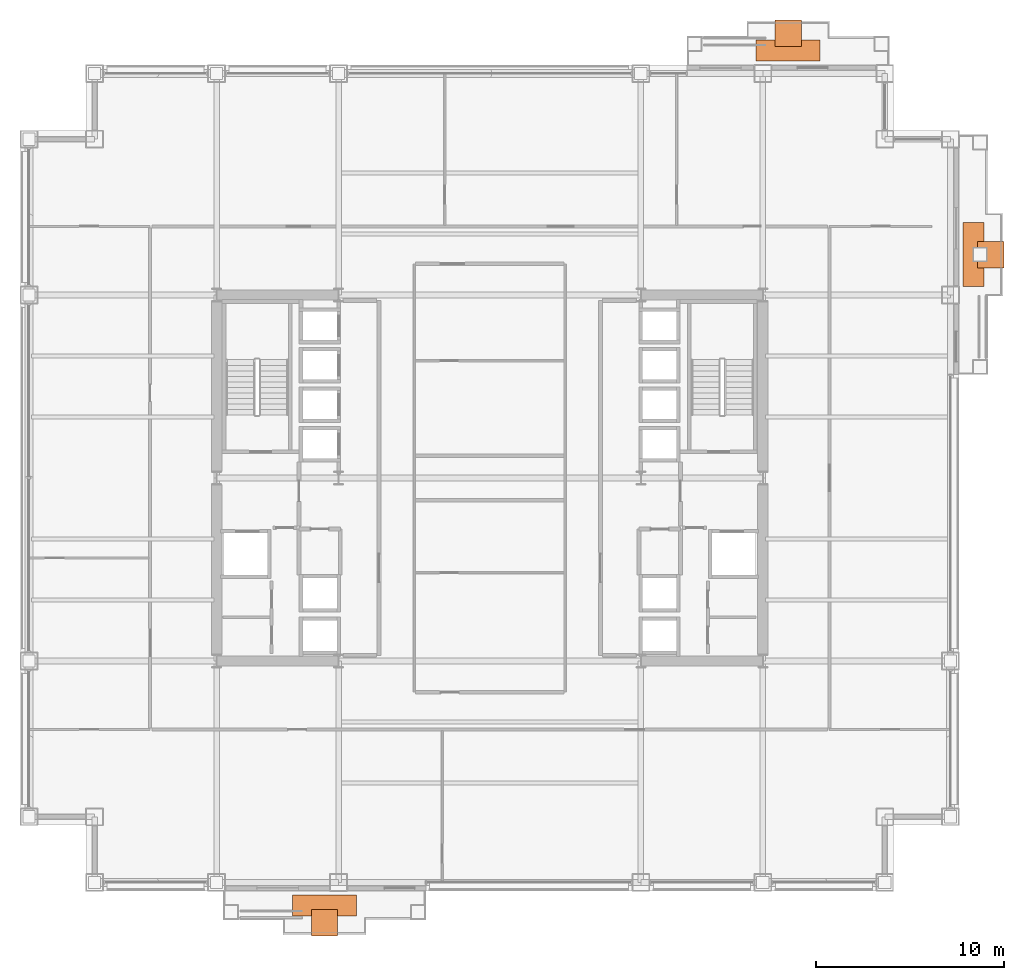
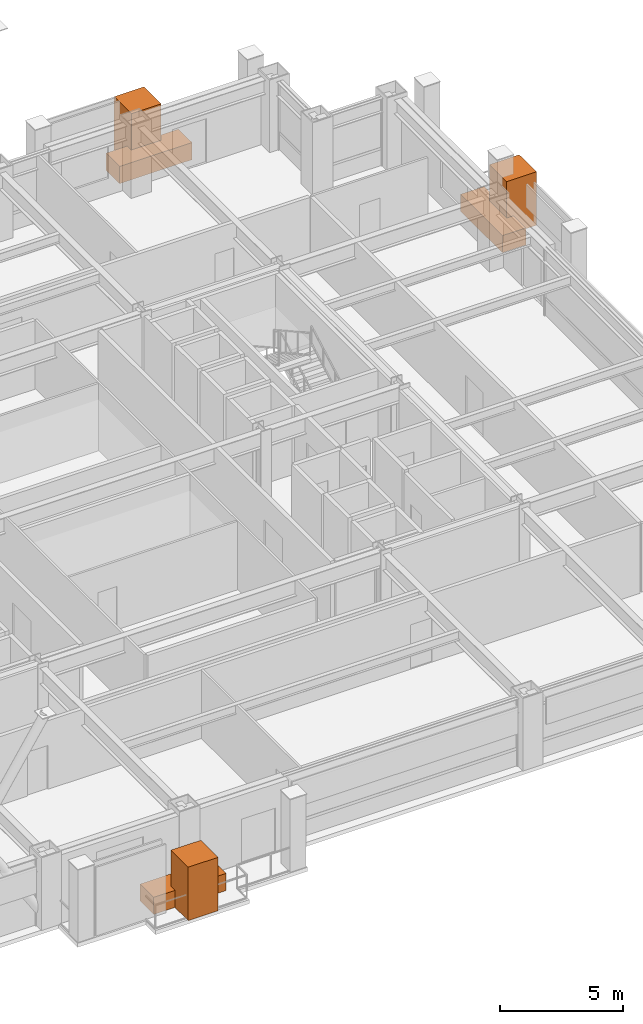
# One storey, part 33 of 33: 6 proxies.
"""IFC4 building model written with IfcOpenShell, lengths in metres."""

from ifc_helpers import new_model, si_unit, direction, frame, origin, origin_2d, place, context, subcontext, project, spatial, rectangle, extrude, material, type_object, element, save


model = new_model("IFC4")

# Units and contexts
model_context = context("Model", 3, precision=1e-05, world=origin(), true_north=direction((0.0, 1.0)))
body_context = subcontext(model_context, "Body", "Model", "MODEL_VIEW")
ifc_project = project(units=[si_unit("LENGTHUNIT", "METRE"), si_unit("AREAUNIT", "SQUARE_METRE"), si_unit("VOLUMEUNIT", "CUBIC_METRE"), si_unit("PLANEANGLEUNIT", "RADIAN"), si_unit("MASSUNIT", "GRAM", prefix="KILO")], contexts=[model_context])

# Site, building, storey
site_placement = place(None, origin())
site = spatial("IfcSite", under=ifc_project, at=site_placement, CompositionType="ELEMENT")
building_placement = place(site_placement, origin())
building = spatial("IfcBuilding", under=site, at=building_placement, Name="Brelmoor Portico Tower", CompositionType="ELEMENT")
storey_placement = place(building_placement, frame((0.0, 0.0, 34.800048828125)))
storey = spatial("IfcBuildingStorey", under=building, at=storey_placement, Name="L08", CompositionType="ELEMENT", Elevation=34.800048828125)

# Proxies
ifc_material_1 = material(Name="Planted Canopy Tree and Soil Rootball", Category="other")
building_element_proxy_type_1 = type_object("IfcBuildingElementProxyType", Name="BALCONY TREE ARBOR", PredefinedType="USERDEFINED", material=ifc_material_1)
for number, where, z_axis, x_axis, name in (
    (1, (-8.800048828125, -23.699951171875, 0.0), (0.0, 0.0, 1.0), (1.0, 0.0, 0.0), "L08 Balcony PLANTER Tree Canopy Arbor S"),
    (2, (15.89990234375, 23.699951171875, 0.0), (0.0, 0.0, 1.0), (1.0, 0.0, 0.0), "L08 Balcony PLANTER Tree Canopy Arbor N"),
    (3, (26.699951171875, 11.89990234375, 0.0), (0.0, 0.0, 1.0), (1.0, 0.0, 0.0), "L08 Balcony PLANTER Tree Canopy Arbor E"),
):
    element("IfcBuildingElementProxy", number, at=place(storey_placement, frame(where, z_axis=z_axis, x_axis=x_axis)), inside=storey, type_object=building_element_proxy_type_1, Name=name, ObjectType="PLANTER", PredefinedType="USERDEFINED", context=body_context, shape_type="SweptSolid", body=[
        extrude(rectangle(XDim=1.39990234375, YDim=1.39990234375, at=origin_2d()), origin(), (0.0, 0.0, 1.0), 2.64990234375),
    ])
ifc_material_2 = material(Name="Architectural Precast Concrete C40", Category="concrete")
building_element_proxy_type_2 = type_object("IfcBuildingElementProxyType", Name="TREE PLANTER", PredefinedType="USERDEFINED", material=ifc_material_2)
for number, where, z_axis, x_axis, name in (
    (4, (-8.800048828125, -22.77490234375, 0.0), (0.0, 0.0, 1.0), (1.0, 0.0, 0.0), "L08 Planted Tree Planter S"),
    (5, (15.89990234375, 22.77490234375, 0.0), (0.0, 0.0, 1.0), (1.0, 0.0, 0.0), "L08 Planted Tree Planter N"),
    (6, (25.77490234375, 11.89990234375, 0.0), (0.0, 0.0, 1.0), (0.0, 1.0, 0.0), "L08 Planted Tree Planter E"),
):
    element("IfcBuildingElementProxy", number, at=place(storey_placement, frame(where, z_axis=z_axis, x_axis=x_axis)), inside=storey, type_object=building_element_proxy_type_2, Name=name, ObjectType="PLANTER", PredefinedType="USERDEFINED", context=body_context, shape_type="SweptSolid", body=[
        extrude(rectangle(XDim=3.39990234375, YDim=1.10009765625, at=origin_2d()), origin(), (0.0, 0.0, 1.0), 0.85009765625),
    ])

save(model, "model.ifc")
